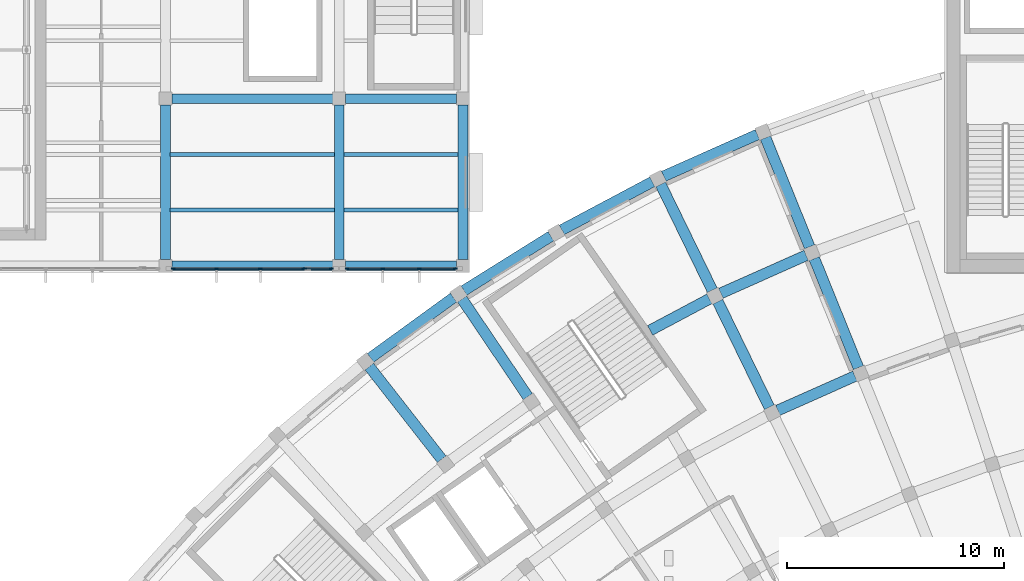
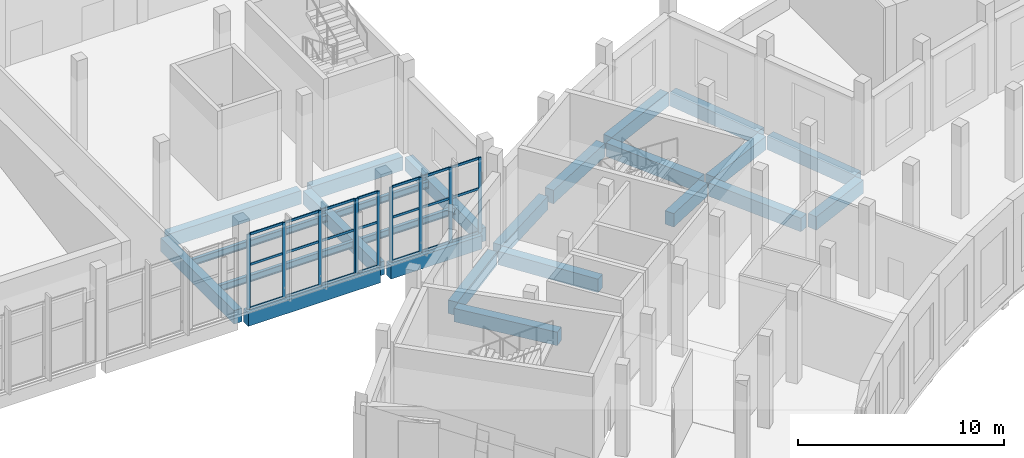
# One storey, part 10 of 132: 31 members, 24 beams, 3 elements without a shape of their own.
"""IFC4 building model written with IfcOpenShell, lengths in metres."""

from ifc_helpers import new_model, si_unit, direction, frame, origin, origin_2d, place, context, subcontext, project, spatial, rectangle, i_section, extrude, material, layer, layer_set, material_profile, profile_set, type_object, element, aggregate, save


model = new_model("IFC4")

# Units and contexts
model_context = context("Model", 3, precision=1e-05, world=origin(), true_north=direction((0.0, 1.0)))
body_context = subcontext(model_context, "Body", "Model", "MODEL_VIEW")
ifc_project = project(units=[si_unit("LENGTHUNIT", "METRE"), si_unit("AREAUNIT", "SQUARE_METRE"), si_unit("VOLUMEUNIT", "CUBIC_METRE"), si_unit("PLANEANGLEUNIT", "RADIAN"), si_unit("MASSUNIT", "GRAM", prefix="KILO")], contexts=[model_context])

# Site, building, storey
site_placement = place(None, origin())
site = spatial("IfcSite", under=ifc_project, at=site_placement, CompositionType="ELEMENT")
building_placement = place(site_placement, origin())
building = spatial("IfcBuilding", under=site, at=building_placement, Name="Lunette Opera House", CompositionType="ELEMENT")
storey_placement = place(building_placement, frame((0.0, 0.0, 17.0)))
storey = spatial("IfcBuildingStorey", under=building, at=storey_placement, Name="L03", CompositionType="ELEMENT", Elevation=17.0)

# Curtain wall, members
ifc_material_1 = material(Name="Aluminium", Category="aluminium")
ifc_layer = layer(ifc_material_1, 0.179931640625)
ifc_layer_set = layer_set([ifc_layer], Name="Aluminium")
curtain_wall_type = type_object("IfcCurtainWallType", Name="SUN FACE CURTAIN WALL", PredefinedType="NOTDEFINED", material=ifc_layer_set)
curtain_wall_1_placement = place(storey_placement, origin())
curtain_wall_1 = element("IfcCurtainWall", 1, at=curtain_wall_1_placement, inside=storey, type_object=curtain_wall_type, Name="Sun Face Curtain Wall F23-2 L03", PredefinedType="NOTDEFINED")
ifc_material_2 = material(Name="Aluminium", Category="aluminium")
ifc_material_profile_1 = material_profile(ifc_material_2, rectangle(XDim=0.06005859375, YDim=0.179931640625, at=origin_2d()), Name="MULLION 60 X 180")
ifc_profile_set_1 = profile_set([ifc_material_profile_1], Name="Aluminium")
member_type_1 = type_object("IfcMemberType", Name="MULLION 60 X 180", PredefinedType="MULLION", material=ifc_profile_set_1)
member_1_placement = place(storey_placement, frame((40.360107421875, 64.18310546875, 0.0), z_axis=(0.0, 0.0, 1.0), x_axis=(0.0, 1.0, 0.0)))
member_1 = element("IfcMember", 2, at=member_1_placement, type_object=member_type_1, Name="RW-X2054 mullion 1", PredefinedType="MULLION", context=body_context, shape_type="SweptSolid", body=[
    extrude(rectangle(XDim=0.06005859375, YDim=0.179931640625, at=origin_2d()), origin(), (0.0, 0.0, 1.0), 4.449951171875),
])
member_2_placement = place(storey_placement, frame((42.351318359375, 64.18310546875, 0.0), z_axis=(0.0, 0.0, 1.0), x_axis=(0.0, 1.0, 0.0)))
member_2 = element("IfcMember", 3, at=member_2_placement, type_object=member_type_1, Name="RW-X2054 mullion 2", PredefinedType="MULLION", context=body_context, shape_type="SweptSolid", body=[
    extrude(rectangle(XDim=0.06005859375, YDim=0.179931640625, at=origin_2d()), origin(), (0.0, 0.0, 1.0), 4.449951171875),
])
member_3_placement = place(storey_placement, frame((44.37255859375, 64.18310546875, 0.0), z_axis=(0.0, 0.0, 1.0), x_axis=(0.0, 1.0, 0.0)))
member_3 = element("IfcMember", 4, at=member_3_placement, type_object=member_type_1, Name="RW-X2054 mullion 3", PredefinedType="MULLION", context=body_context, shape_type="SweptSolid", body=[
    extrude(rectangle(XDim=0.06005859375, YDim=0.179931640625, at=origin_2d()), origin(), (0.0, 0.0, 1.0), 4.449951171875),
])
member_4_placement = place(storey_placement, frame((46.364013671875, 64.18310546875, 0.0), z_axis=(0.0, 0.0, 1.0), x_axis=(0.0, 1.0, 0.0)))
member_4 = element("IfcMember", 5, at=member_4_placement, type_object=member_type_1, Name="RW-X2054 mullion 4", PredefinedType="MULLION", context=body_context, shape_type="SweptSolid", body=[
    extrude(rectangle(XDim=0.06005859375, YDim=0.179931640625, at=origin_2d()), origin(), (0.0, 0.0, 1.0), 4.449951171875),
])

curtain_wall_2_placement = place(storey_placement, origin())
curtain_wall_2 = element("IfcCurtainWall", 6, at=curtain_wall_2_placement, inside=storey, type_object=curtain_wall_type, Name="Sun Face Curtain Wall F24-1 L03", PredefinedType="NOTDEFINED")
member_5_placement = place(storey_placement, frame((46.424072265625, 64.18310546875, 0.0), z_axis=(0.0, 0.0, 1.0), x_axis=(0.0, 1.0, 0.0)))
member_5 = element("IfcMember", 7, at=member_5_placement, type_object=member_type_1, Name="RW-X2055 mullion 1", PredefinedType="MULLION", context=body_context, shape_type="SweptSolid", body=[
    extrude(rectangle(XDim=0.06005859375, YDim=0.179931640625, at=origin_2d()), origin(), (0.0, 0.0, 1.0), 4.449951171875),
])
member_6_placement = place(storey_placement, frame((47.639892578125, 64.18310546875, 0.0), z_axis=(0.0, 0.0, 1.0), x_axis=(0.0, 1.0, 0.0)))
member_6 = element("IfcMember", 8, at=member_6_placement, type_object=member_type_1, Name="RW-X2055 mullion 2", PredefinedType="MULLION", context=body_context, shape_type="SweptSolid", body=[
    extrude(rectangle(XDim=0.06005859375, YDim=0.179931640625, at=origin_2d()), origin(), (0.0, 0.0, 1.0), 4.449951171875),
])

curtain_wall_3_placement = place(storey_placement, origin())
curtain_wall_3 = element("IfcCurtainWall", 9, at=curtain_wall_3_placement, inside=storey, type_object=curtain_wall_type, Name="Sun Face Curtain Wall F24-2 L03", PredefinedType="NOTDEFINED")
member_7_placement = place(storey_placement, frame((48.360107421875, 64.18310546875, 0.0), z_axis=(0.0, 0.0, 1.0), x_axis=(0.0, 1.0, 0.0)))
member_7 = element("IfcMember", 10, at=member_7_placement, type_object=member_type_1, Name="RW-X2056 mullion 1", PredefinedType="MULLION", context=body_context, shape_type="SweptSolid", body=[
    extrude(rectangle(XDim=0.06005859375, YDim=0.179931640625, at=origin_2d()), origin(), (0.0, 0.0, 1.0), 4.449951171875),
])
member_8_placement = place(storey_placement, frame((50.010009765625, 64.18310546875, 0.0), z_axis=(0.0, 0.0, 1.0), x_axis=(0.0, 1.0, 0.0)))
member_8 = element("IfcMember", 11, at=member_8_placement, type_object=member_type_1, Name="RW-X2056 mullion 2", PredefinedType="MULLION", context=body_context, shape_type="SweptSolid", body=[
    extrude(rectangle(XDim=0.06005859375, YDim=0.179931640625, at=origin_2d()), origin(), (0.0, 0.0, 1.0), 4.449951171875),
])
member_9_placement = place(storey_placement, frame((51.68994140625, 64.18310546875, 0.0), z_axis=(0.0, 0.0, 1.0), x_axis=(0.0, 1.0, 0.0)))
member_9 = element("IfcMember", 12, at=member_9_placement, type_object=member_type_1, Name="RW-X2056 mullion 3", PredefinedType="MULLION", context=body_context, shape_type="SweptSolid", body=[
    extrude(rectangle(XDim=0.06005859375, YDim=0.179931640625, at=origin_2d()), origin(), (0.0, 0.0, 1.0), 4.449951171875),
])
member_10_placement = place(storey_placement, frame((53.340087890625, 64.18310546875, 0.0), z_axis=(0.0, 0.0, 1.0), x_axis=(0.0, 1.0, 0.0)))
member_10 = element("IfcMember", 13, at=member_10_placement, type_object=member_type_1, Name="RW-X2056 mullion 4", PredefinedType="MULLION", context=body_context, shape_type="SweptSolid", body=[
    extrude(rectangle(XDim=0.06005859375, YDim=0.179931640625, at=origin_2d()), origin(), (0.0, 0.0, 1.0), 4.449951171875),
])

# Beams
ifc_material_3 = material(Name="Concrete C35/45", Category="concrete")
ifc_material_profile_2 = material_profile(ifc_material_3, rectangle(XDim=0.449951171875, YDim=0.800048828125, at=origin_2d()), Name="RC BEAM 450X800")
ifc_profile_set_2 = profile_set([ifc_material_profile_2], Name="Concrete C35/45")
beam_type_1 = type_object("IfcBeamType", Name="RC BEAM 450X800", PredefinedType="BEAM", material=ifc_profile_set_2)
for number, where, z_axis, x_axis, name in (
    (14, (40.0, 64.590087890625, -0.550048828125), (0.0, 1.0, 0.0), (-1.0, 0.0, 0.0), "beam-RW-L03-L03-GY40"),
    (15, (48.0, 64.590087890625, -0.550048828125), (0.0, 1.0, 0.0), (-1.0, 0.0, 0.0), "beam-RW-L03-L03-GY50"),
    (16, (53.699951171875, 64.590087890625, -0.550048828125), (0.0, 1.0, 0.0), (-1.0, 0.0, 0.0), "beam-RW-L03-L03-GY60"),
):
    element("IfcBeam", number, at=place(storey_placement, frame(where, z_axis=z_axis, x_axis=x_axis)), inside=storey, type_object=beam_type_1, Name=name, PredefinedType="BEAM", context=body_context, shape_type="SweptSolid", body=[
        extrude(rectangle(XDim=0.449951171875, YDim=0.800048828125, at=origin_2d()), origin(), (0.0, 0.0, 1.0), 7.119873046875),
    ])
beam_1_placement = place(storey_placement, frame((40.2900390625, 64.300048828125, -0.550048828125), z_axis=(1.0, 0.0, 0.0), x_axis=(0.0, 1.0, 0.0)))
element("IfcBeam", 17, at=beam_1_placement, inside=storey, type_object=beam_type_1, Name="beam-RW-L03-L03-GX40", PredefinedType="BEAM", context=body_context, shape_type="SweptSolid", body=[
    extrude(rectangle(XDim=0.449951171875, YDim=0.800048828125, at=origin_2d()), origin(), (0.0, 0.0, 1.0), 7.419921875),
])
beam_2_placement = place(storey_placement, frame((48.2900390625, 64.300048828125, -0.550048828125), z_axis=(1.0, 0.0, 0.0), x_axis=(0.0, 1.0, 0.0)))
element("IfcBeam", 18, at=beam_2_placement, inside=storey, type_object=beam_type_1, Name="beam-RW-L03-L03-GX50", PredefinedType="BEAM", context=body_context, shape_type="SweptSolid", body=[
    extrude(rectangle(XDim=0.449951171875, YDim=0.800048828125, at=origin_2d()), origin(), (0.0, 0.0, 1.0), 5.119873046875),
])
beam_3_placement = place(storey_placement, frame((40.2900390625, 72.0, -0.550048828125), z_axis=(1.0, 0.0, 0.0), x_axis=(0.0, 1.0, 0.0)))
element("IfcBeam", 19, at=beam_3_placement, inside=storey, type_object=beam_type_1, Name="beam-RW-L03-L03-GX41", PredefinedType="BEAM", context=body_context, shape_type="SweptSolid", body=[
    extrude(rectangle(XDim=0.449951171875, YDim=0.800048828125, at=origin_2d()), origin(), (0.0, 0.0, 1.0), 7.419921875),
])
beam_4_placement = place(storey_placement, frame((48.2900390625, 72.0, -0.550048828125), z_axis=(1.0, 0.0, 0.0), x_axis=(0.0, 1.0, 0.0)))
element("IfcBeam", 20, at=beam_4_placement, inside=storey, type_object=beam_type_1, Name="beam-RW-L03-L03-GX51", PredefinedType="BEAM", context=body_context, shape_type="SweptSolid", body=[
    extrude(rectangle(XDim=0.449951171875, YDim=0.800048828125, at=origin_2d()), origin(), (0.0, 0.0, 1.0), 5.119873046875),
])
ifc_material_4 = material(Name="Concrete C35/45", Category="concrete")
ifc_material_profile_3 = material_profile(ifc_material_4, rectangle(XDim=0.5, YDim=0.800048828125, at=origin_2d()), Name="RC BEAM 500X800")
ifc_profile_set_3 = profile_set([ifc_material_profile_3], Name="Concrete C35/45")
beam_type_2 = type_object("IfcBeamType", Name="RC BEAM 500X800", PredefinedType="BEAM", material=ifc_profile_set_3)
beam_5_placement = place(storey_placement, frame((52.72509765625, 55.388916015625, -0.6201171875), z_axis=(-0.615694738136, 0.78798476472, 0.0), x_axis=(-0.78798476472, -0.615694738136, 0.0)))
element("IfcBeam", 21, at=beam_5_placement, inside=storey, type_object=beam_type_2, Name="beam-FC-L03-L03-RB-RL-04-4", PredefinedType="BEAM", context=body_context, shape_type="SweptSolid", body=[
    extrude(rectangle(XDim=0.5, YDim=0.800048828125, at=origin_2d()), origin(), (0.0, 0.0, 1.0), 5.420166015625),
])
beam_6_placement = place(storey_placement, frame((56.694091796875, 58.27294921875, -0.6201171875), z_axis=(-0.559110702561, 0.82909301184, 0.0), x_axis=(-0.82909301184, -0.559110702561, 0.0)))
element("IfcBeam", 22, at=beam_6_placement, inside=storey, type_object=beam_type_2, Name="beam-FC-L03-L03-RB-RL-05-4", PredefinedType="BEAM", context=body_context, shape_type="SweptSolid", body=[
    extrude(rectangle(XDim=0.5, YDim=0.800048828125, at=origin_2d()), origin(), (0.0, 0.0, 1.0), 5.41943359375),
])
for number, where, z_axis, x_axis, name in (
    (23, (67.81689453125, 57.782958984375, -0.6201171875), (-0.438327792699, 0.898815190207, 0.0), (-0.898815190207, -0.438327792699, 0.0), "beam-FC-L03-L03-RB-RL-07-3"),
    (24, (65.18701171875, 63.176025390625, -0.6201171875), (-0.438327792699, 0.898815190207, 0.0), (-0.898815190207, -0.438327792699, 0.0), "beam-FC-L03-L03-RB-RL-07-4"),
):
    element("IfcBeam", number, at=place(storey_placement, frame(where, z_axis=z_axis, x_axis=x_axis)), inside=storey, type_object=beam_type_2, Name=name, PredefinedType="BEAM", context=body_context, shape_type="SweptSolid", body=[
        extrude(rectangle(XDim=0.5, YDim=0.800048828125, at=origin_2d()), origin(), (0.0, 0.0, 1.0), 5.420654296875),
    ])
beam_7_placement = place(storey_placement, frame((71.9169921875, 59.60888671875, -0.6201171875), z_axis=(-0.374719978652, 0.927138035893, 0.0), x_axis=(-0.927138035893, -0.374719978652, 0.0)))
element("IfcBeam", 25, at=beam_7_placement, inside=storey, type_object=beam_type_2, Name="beam-FC-L03-L03-RB-RL-08-3", PredefinedType="BEAM", context=body_context, shape_type="SweptSolid", body=[
    extrude(rectangle(XDim=0.5, YDim=0.800048828125, at=origin_2d()), origin(), (0.0, 0.0, 1.0), 5.420166015625),
])
beam_8_placement = place(storey_placement, frame((69.6689453125, 65.172119140625, -0.6201171875), z_axis=(-0.374580732086, 0.927194302803, 0.0), x_axis=(-0.927194302803, -0.374580732086, 0.0)))
element("IfcBeam", 26, at=beam_8_placement, inside=storey, type_object=beam_type_2, Name="beam-FC-L03-L03-RB-RL-08-4", PredefinedType="BEAM", context=body_context, shape_type="SweptSolid", body=[
    extrude(rectangle(XDim=0.5, YDim=0.800048828125, at=origin_2d()), origin(), (0.0, 0.0, 1.0), 5.41943359375),
])
beam_9_placement = place(storey_placement, frame((68.208984375, 57.64111328125, -0.6201171875), z_axis=(0.913565322769, 0.406692022339, 0.0), x_axis=(-0.406692022339, 0.913565322769, 0.0)))
element("IfcBeam", 27, at=beam_9_placement, inside=storey, type_object=beam_type_2, Name="beam-FC-L03-L03-RG-AR-B-RL-07", PredefinedType="BEAM", context=body_context, shape_type="SweptSolid", body=[
    extrude(rectangle(XDim=0.5, YDim=0.800048828125, at=origin_2d()), origin(), (0.0, 0.0, 1.0), 3.886962890625),
])
beam_10_placement = place(storey_placement, frame((62.324951171875, 61.325927734375, -0.6201171875), z_axis=(0.882832733664, 0.469687517794, 0.0), x_axis=(-0.469687517794, 0.882832733664, 0.0)))
element("IfcBeam", 28, at=beam_10_placement, inside=storey, type_object=beam_type_2, Name="beam-FC-L03-L03-RG-AR-M2-RL-06", PredefinedType="BEAM", context=body_context, shape_type="SweptSolid", body=[
    extrude(rectangle(XDim=0.5, YDim=0.800048828125, at=origin_2d()), origin(), (0.0, 0.0, 1.0), 3.095947265625),
])
beam_11_placement = place(storey_placement, frame((65.5791015625, 63.033935546875, -0.6201171875), z_axis=(0.91358695216, 0.406643432067, 0.0), x_axis=(-0.406643432067, 0.91358695216, 0.0)))
element("IfcBeam", 29, at=beam_11_placement, inside=storey, type_object=beam_type_2, Name="beam-FC-L03-L03-RG-AR-M2-RL-07", PredefinedType="BEAM", context=body_context, shape_type="SweptSolid", body=[
    extrude(rectangle(XDim=0.5, YDim=0.800048828125, at=origin_2d()), origin(), (0.0, 0.0, 1.0), 4.305908203125),
])
beam_12_placement = place(storey_placement, frame((49.445068359375, 60.06005859375, -0.6201171875), z_axis=(0.809044453517, 0.587747456169, 0.0), x_axis=(-0.587747456169, 0.809044453517, 0.0)))
element("IfcBeam", 30, at=beam_12_placement, inside=storey, type_object=beam_type_2, Name="beam-FC-L03-L03-RG-AR-C-RL-04", PredefinedType="BEAM", context=body_context, shape_type="SweptSolid", body=[
    extrude(rectangle(XDim=0.5, YDim=0.800048828125, at=origin_2d()), origin(), (0.0, 0.0, 1.0), 4.722900390625),
])
beam_13_placement = place(storey_placement, frame((53.7470703125, 63.160888671875, -0.6201171875), z_axis=(0.848102800319, 0.529831709217, 0.0), x_axis=(-0.529831709217, 0.848102800319, 0.0)))
element("IfcBeam", 31, at=beam_13_placement, inside=storey, type_object=beam_type_2, Name="beam-FC-L03-L03-RG-AR-C-RL-05", PredefinedType="BEAM", context=body_context, shape_type="SweptSolid", body=[
    extrude(rectangle(XDim=0.5, YDim=0.800048828125, at=origin_2d()), origin(), (0.0, 0.0, 1.0), 4.724365234375),
])
beam_14_placement = place(storey_placement, frame((58.256103515625, 65.9541015625, -0.6201171875), z_axis=(0.882965814701, 0.46943729088, 0.0), x_axis=(-0.46943729088, 0.882965814701, 0.0)))
element("IfcBeam", 32, at=beam_14_placement, inside=storey, type_object=beam_type_2, Name="beam-FC-L03-L03-RG-AR-C-RL-06", PredefinedType="BEAM", context=body_context, shape_type="SweptSolid", body=[
    extrude(rectangle(XDim=0.5, YDim=0.800048828125, at=origin_2d()), origin(), (0.0, 0.0, 1.0), 4.724853515625),
])
beam_15_placement = place(storey_placement, frame((62.948974609375, 68.426025390625, -0.6201171875), z_axis=(0.91352150634, 0.40679043432, 0.0), x_axis=(-0.40679043432, 0.91352150634, 0.0)))
element("IfcBeam", 33, at=beam_15_placement, inside=storey, type_object=beam_type_2, Name="beam-FC-L03-L03-RG-AR-C-RL-07", PredefinedType="BEAM", context=body_context, shape_type="SweptSolid", body=[
    extrude(rectangle(XDim=0.5, YDim=0.800048828125, at=origin_2d()), origin(), (0.0, 0.0, 1.0), 4.724365234375),
])
ifc_material_5 = material(Name="Steel S355", Category="steel")
ifc_material_profile_4 = material_profile(ifc_material_5, i_section(OverallWidth=0.179931640625, OverallDepth=0.39990234375, WebThickness=0.008544921875, FlangeThickness=0.013427734375, FilletRadius=0.02099609375, at=origin_2d()), Name="IPE 400")
ifc_profile_set_4 = profile_set([ifc_material_profile_4], Name="Steel S355")
beam_type_3 = type_object("IfcBeamType", Name="STEEL BEAM IPE 400", PredefinedType="BEAM", material=ifc_profile_set_4)
for number, where, z_axis, x_axis, name in (
    (34, (40.215087890625, 66.866943359375, -0.35009765625), (1.0, 0.0, 0.0), (0.0, 1.0, 0.0), "beam-RW-L03-L03-SX401"),
    (35, (40.215087890625, 69.43310546875, -0.35009765625), (1.0, 0.0, 0.0), (0.0, 1.0, 0.0), "beam-RW-L03-L03-SX402"),
):
    element("IfcBeam", number, at=place(storey_placement, frame(where, z_axis=z_axis, x_axis=x_axis)), inside=storey, type_object=beam_type_3, Name=name, PredefinedType="BEAM", context=body_context, shape_type="SweptSolid", body=[
        extrude(i_section(OverallWidth=0.179931640625, OverallDepth=0.39990234375, WebThickness=0.008544921875, FlangeThickness=0.013427734375, FilletRadius=0.02099609375, at=origin_2d()), origin(), (0.0, 0.0, 1.0), 7.56982421875),
    ])
for number, where, z_axis, x_axis, name in (
    (36, (48.215087890625, 66.866943359375, -0.35009765625), (1.0, 0.0, 0.0), (0.0, 1.0, 0.0), "beam-RW-L03-L03-SX501"),
    (37, (48.215087890625, 69.43310546875, -0.35009765625), (1.0, 0.0, 0.0), (0.0, 1.0, 0.0), "beam-RW-L03-L03-SX502"),
):
    element("IfcBeam", number, at=place(storey_placement, frame(where, z_axis=z_axis, x_axis=x_axis)), inside=storey, type_object=beam_type_3, Name=name, PredefinedType="BEAM", context=body_context, shape_type="SweptSolid", body=[
        extrude(i_section(OverallWidth=0.179931640625, OverallDepth=0.39990234375, WebThickness=0.008544921875, FlangeThickness=0.013427734375, FilletRadius=0.02099609375, at=origin_2d()), origin(), (0.0, 0.0, 1.0), 5.27001953125),
    ])

# Member
ifc_material_6 = material(Name="Aluminium", Category="aluminium")
ifc_material_profile_5 = material_profile(ifc_material_6, rectangle(XDim=0.06005859375, YDim=0.139892578125, at=origin_2d()), Name="TRANSOM 60 X 140")
ifc_profile_set_5 = profile_set([ifc_material_profile_5], Name="Aluminium")
member_type_2 = type_object("IfcMemberType", Name="TRANSOM 60 X 140", PredefinedType="USERDEFINED", material=ifc_profile_set_5)
member_11_placement = place(storey_placement, frame((40.389892578125, 64.18310546875, 0.030029296875), z_axis=(1.0, 0.0, 0.0), x_axis=(0.0, 1.0, 0.0)))
member_11 = element("IfcMember", 38, at=member_11_placement, type_object=member_type_2, Name="RW-X2054 transom 1.1", ObjectType="TRANSOM", PredefinedType="USERDEFINED", context=body_context, shape_type="SweptSolid", body=[
    extrude(rectangle(XDim=0.06005859375, YDim=0.139892578125, at=origin_2d()), origin(), (0.0, 0.0, 1.0), 1.931396484375),
])

member_12_placement = place(storey_placement, frame((40.389892578125, 64.18310546875, 2.625), z_axis=(1.0, 0.0, 0.0), x_axis=(0.0, 1.0, 0.0)))
member_12 = element("IfcMember", 39, at=member_12_placement, type_object=member_type_2, Name="RW-X2054 transom 1.2", ObjectType="TRANSOM", PredefinedType="USERDEFINED", context=body_context, shape_type="SweptSolid", body=[
    extrude(rectangle(XDim=0.06005859375, YDim=0.139892578125, at=origin_2d()), origin(), (0.0, 0.0, 1.0), 1.931396484375),
])

member_13_placement = place(storey_placement, frame((40.389892578125, 64.18310546875, 4.419921875), z_axis=(1.0, 0.0, 0.0), x_axis=(0.0, 1.0, 0.0)))
member_13 = element("IfcMember", 40, at=member_13_placement, type_object=member_type_2, Name="RW-X2054 transom 1.3", ObjectType="TRANSOM", PredefinedType="USERDEFINED", context=body_context, shape_type="SweptSolid", body=[
    extrude(rectangle(XDim=0.06005859375, YDim=0.139892578125, at=origin_2d()), origin(), (0.0, 0.0, 1.0), 1.931396484375),
])

member_14_placement = place(storey_placement, frame((42.38134765625, 64.18310546875, 0.030029296875), z_axis=(1.0, 0.0, 0.0), x_axis=(0.0, 1.0, 0.0)))
member_14 = element("IfcMember", 41, at=member_14_placement, type_object=member_type_2, Name="RW-X2054 transom 2.1", ObjectType="TRANSOM", PredefinedType="USERDEFINED", context=body_context, shape_type="SweptSolid", body=[
    extrude(rectangle(XDim=0.06005859375, YDim=0.139892578125, at=origin_2d()), origin(), (0.0, 0.0, 1.0), 1.96142578125),
])

member_15_placement = place(storey_placement, frame((42.38134765625, 64.18310546875, 2.625), z_axis=(1.0, 0.0, 0.0), x_axis=(0.0, 1.0, 0.0)))
member_15 = element("IfcMember", 42, at=member_15_placement, type_object=member_type_2, Name="RW-X2054 transom 2.2", ObjectType="TRANSOM", PredefinedType="USERDEFINED", context=body_context, shape_type="SweptSolid", body=[
    extrude(rectangle(XDim=0.06005859375, YDim=0.139892578125, at=origin_2d()), origin(), (0.0, 0.0, 1.0), 1.96142578125),
])

member_16_placement = place(storey_placement, frame((42.38134765625, 64.18310546875, 4.419921875), z_axis=(1.0, 0.0, 0.0), x_axis=(0.0, 1.0, 0.0)))
member_16 = element("IfcMember", 43, at=member_16_placement, type_object=member_type_2, Name="RW-X2054 transom 2.3", ObjectType="TRANSOM", PredefinedType="USERDEFINED", context=body_context, shape_type="SweptSolid", body=[
    extrude(rectangle(XDim=0.06005859375, YDim=0.139892578125, at=origin_2d()), origin(), (0.0, 0.0, 1.0), 1.96142578125),
])

member_17_placement = place(storey_placement, frame((44.402587890625, 64.18310546875, 0.030029296875), z_axis=(1.0, 0.0, 0.0), x_axis=(0.0, 1.0, 0.0)))
member_17 = element("IfcMember", 44, at=member_17_placement, type_object=member_type_2, Name="RW-X2054 transom 3.1", ObjectType="TRANSOM", PredefinedType="USERDEFINED", context=body_context, shape_type="SweptSolid", body=[
    extrude(rectangle(XDim=0.06005859375, YDim=0.139892578125, at=origin_2d()), origin(), (0.0, 0.0, 1.0), 1.931396484375),
])

member_18_placement = place(storey_placement, frame((44.402587890625, 64.18310546875, 2.625), z_axis=(1.0, 0.0, 0.0), x_axis=(0.0, 1.0, 0.0)))
member_18 = element("IfcMember", 45, at=member_18_placement, type_object=member_type_2, Name="RW-X2054 transom 3.2", ObjectType="TRANSOM", PredefinedType="USERDEFINED", context=body_context, shape_type="SweptSolid", body=[
    extrude(rectangle(XDim=0.06005859375, YDim=0.139892578125, at=origin_2d()), origin(), (0.0, 0.0, 1.0), 1.931396484375),
])

member_19_placement = place(storey_placement, frame((44.402587890625, 64.18310546875, 4.419921875), z_axis=(1.0, 0.0, 0.0), x_axis=(0.0, 1.0, 0.0)))
member_19 = element("IfcMember", 46, at=member_19_placement, type_object=member_type_2, Name="RW-X2054 transom 3.3", ObjectType="TRANSOM", PredefinedType="USERDEFINED", context=body_context, shape_type="SweptSolid", body=[
    extrude(rectangle(XDim=0.06005859375, YDim=0.139892578125, at=origin_2d()), origin(), (0.0, 0.0, 1.0), 1.931396484375),
])

aggregate(curtain_wall_1, [member_1, member_2, member_3, member_4, member_11, member_12, member_13, member_14, member_15, member_16, member_17, member_18, member_19])

member_20_placement = place(storey_placement, frame((46.4541015625, 64.18310546875, 0.030029296875), z_axis=(1.0, 0.0, 0.0), x_axis=(0.0, 1.0, 0.0)))
member_20 = element("IfcMember", 47, at=member_20_placement, type_object=member_type_2, Name="RW-X2055 transom 1.1", ObjectType="TRANSOM", PredefinedType="USERDEFINED", context=body_context, shape_type="SweptSolid", body=[
    extrude(rectangle(XDim=0.06005859375, YDim=0.139892578125, at=origin_2d()), origin(), (0.0, 0.0, 1.0), 1.156005859375),
])

member_21_placement = place(storey_placement, frame((46.4541015625, 64.18310546875, 2.625), z_axis=(1.0, 0.0, 0.0), x_axis=(0.0, 1.0, 0.0)))
member_21 = element("IfcMember", 48, at=member_21_placement, type_object=member_type_2, Name="RW-X2055 transom 1.2", ObjectType="TRANSOM", PredefinedType="USERDEFINED", context=body_context, shape_type="SweptSolid", body=[
    extrude(rectangle(XDim=0.06005859375, YDim=0.139892578125, at=origin_2d()), origin(), (0.0, 0.0, 1.0), 1.156005859375),
])

member_22_placement = place(storey_placement, frame((46.4541015625, 64.18310546875, 4.419921875), z_axis=(1.0, 0.0, 0.0), x_axis=(0.0, 1.0, 0.0)))
member_22 = element("IfcMember", 49, at=member_22_placement, type_object=member_type_2, Name="RW-X2055 transom 1.3", ObjectType="TRANSOM", PredefinedType="USERDEFINED", context=body_context, shape_type="SweptSolid", body=[
    extrude(rectangle(XDim=0.06005859375, YDim=0.139892578125, at=origin_2d()), origin(), (0.0, 0.0, 1.0), 1.156005859375),
])

aggregate(curtain_wall_2, [member_5, member_6, member_20, member_21, member_22])

member_23_placement = place(storey_placement, frame((48.389892578125, 64.18310546875, 0.030029296875), z_axis=(1.0, 0.0, 0.0), x_axis=(0.0, 1.0, 0.0)))
member_23 = element("IfcMember", 50, at=member_23_placement, type_object=member_type_2, Name="RW-X2056 transom 1.1", ObjectType="TRANSOM", PredefinedType="USERDEFINED", context=body_context, shape_type="SweptSolid", body=[
    extrude(rectangle(XDim=0.06005859375, YDim=0.139892578125, at=origin_2d()), origin(), (0.0, 0.0, 1.0), 1.590087890625),
])

member_24_placement = place(storey_placement, frame((48.389892578125, 64.18310546875, 2.625), z_axis=(1.0, 0.0, 0.0), x_axis=(0.0, 1.0, 0.0)))
member_24 = element("IfcMember", 51, at=member_24_placement, type_object=member_type_2, Name="RW-X2056 transom 1.2", ObjectType="TRANSOM", PredefinedType="USERDEFINED", context=body_context, shape_type="SweptSolid", body=[
    extrude(rectangle(XDim=0.06005859375, YDim=0.139892578125, at=origin_2d()), origin(), (0.0, 0.0, 1.0), 1.590087890625),
])

member_25_placement = place(storey_placement, frame((48.389892578125, 64.18310546875, 4.419921875), z_axis=(1.0, 0.0, 0.0), x_axis=(0.0, 1.0, 0.0)))
member_25 = element("IfcMember", 52, at=member_25_placement, type_object=member_type_2, Name="RW-X2056 transom 1.3", ObjectType="TRANSOM", PredefinedType="USERDEFINED", context=body_context, shape_type="SweptSolid", body=[
    extrude(rectangle(XDim=0.06005859375, YDim=0.139892578125, at=origin_2d()), origin(), (0.0, 0.0, 1.0), 1.590087890625),
])

member_26_placement = place(storey_placement, frame((50.0400390625, 64.18310546875, 0.030029296875), z_axis=(1.0, 0.0, 0.0), x_axis=(0.0, 1.0, 0.0)))
member_26 = element("IfcMember", 53, at=member_26_placement, type_object=member_type_2, Name="RW-X2056 transom 2.1", ObjectType="TRANSOM", PredefinedType="USERDEFINED", context=body_context, shape_type="SweptSolid", body=[
    extrude(rectangle(XDim=0.06005859375, YDim=0.139892578125, at=origin_2d()), origin(), (0.0, 0.0, 1.0), 1.619873046875),
])

member_27_placement = place(storey_placement, frame((50.0400390625, 64.18310546875, 2.625), z_axis=(1.0, 0.0, 0.0), x_axis=(0.0, 1.0, 0.0)))
member_27 = element("IfcMember", 54, at=member_27_placement, type_object=member_type_2, Name="RW-X2056 transom 2.2", ObjectType="TRANSOM", PredefinedType="USERDEFINED", context=body_context, shape_type="SweptSolid", body=[
    extrude(rectangle(XDim=0.06005859375, YDim=0.139892578125, at=origin_2d()), origin(), (0.0, 0.0, 1.0), 1.619873046875),
])

member_28_placement = place(storey_placement, frame((50.0400390625, 64.18310546875, 4.419921875), z_axis=(1.0, 0.0, 0.0), x_axis=(0.0, 1.0, 0.0)))
member_28 = element("IfcMember", 55, at=member_28_placement, type_object=member_type_2, Name="RW-X2056 transom 2.3", ObjectType="TRANSOM", PredefinedType="USERDEFINED", context=body_context, shape_type="SweptSolid", body=[
    extrude(rectangle(XDim=0.06005859375, YDim=0.139892578125, at=origin_2d()), origin(), (0.0, 0.0, 1.0), 1.619873046875),
])

member_29_placement = place(storey_placement, frame((51.719970703125, 64.18310546875, 0.030029296875), z_axis=(1.0, 0.0, 0.0), x_axis=(0.0, 1.0, 0.0)))
member_29 = element("IfcMember", 56, at=member_29_placement, type_object=member_type_2, Name="RW-X2056 transom 3.1", ObjectType="TRANSOM", PredefinedType="USERDEFINED", context=body_context, shape_type="SweptSolid", body=[
    extrude(rectangle(XDim=0.06005859375, YDim=0.139892578125, at=origin_2d()), origin(), (0.0, 0.0, 1.0), 1.590087890625),
])

member_30_placement = place(storey_placement, frame((51.719970703125, 64.18310546875, 2.625), z_axis=(1.0, 0.0, 0.0), x_axis=(0.0, 1.0, 0.0)))
member_30 = element("IfcMember", 57, at=member_30_placement, type_object=member_type_2, Name="RW-X2056 transom 3.2", ObjectType="TRANSOM", PredefinedType="USERDEFINED", context=body_context, shape_type="SweptSolid", body=[
    extrude(rectangle(XDim=0.06005859375, YDim=0.139892578125, at=origin_2d()), origin(), (0.0, 0.0, 1.0), 1.590087890625),
])

member_31_placement = place(storey_placement, frame((51.719970703125, 64.18310546875, 4.419921875), z_axis=(1.0, 0.0, 0.0), x_axis=(0.0, 1.0, 0.0)))
member_31 = element("IfcMember", 58, at=member_31_placement, type_object=member_type_2, Name="RW-X2056 transom 3.3", ObjectType="TRANSOM", PredefinedType="USERDEFINED", context=body_context, shape_type="SweptSolid", body=[
    extrude(rectangle(XDim=0.06005859375, YDim=0.139892578125, at=origin_2d()), origin(), (0.0, 0.0, 1.0), 1.590087890625),
])

aggregate(curtain_wall_3, [member_7, member_8, member_9, member_10, member_23, member_24, member_25, member_26, member_27, member_28, member_29, member_30, member_31])

save(model, "model.ifc")
